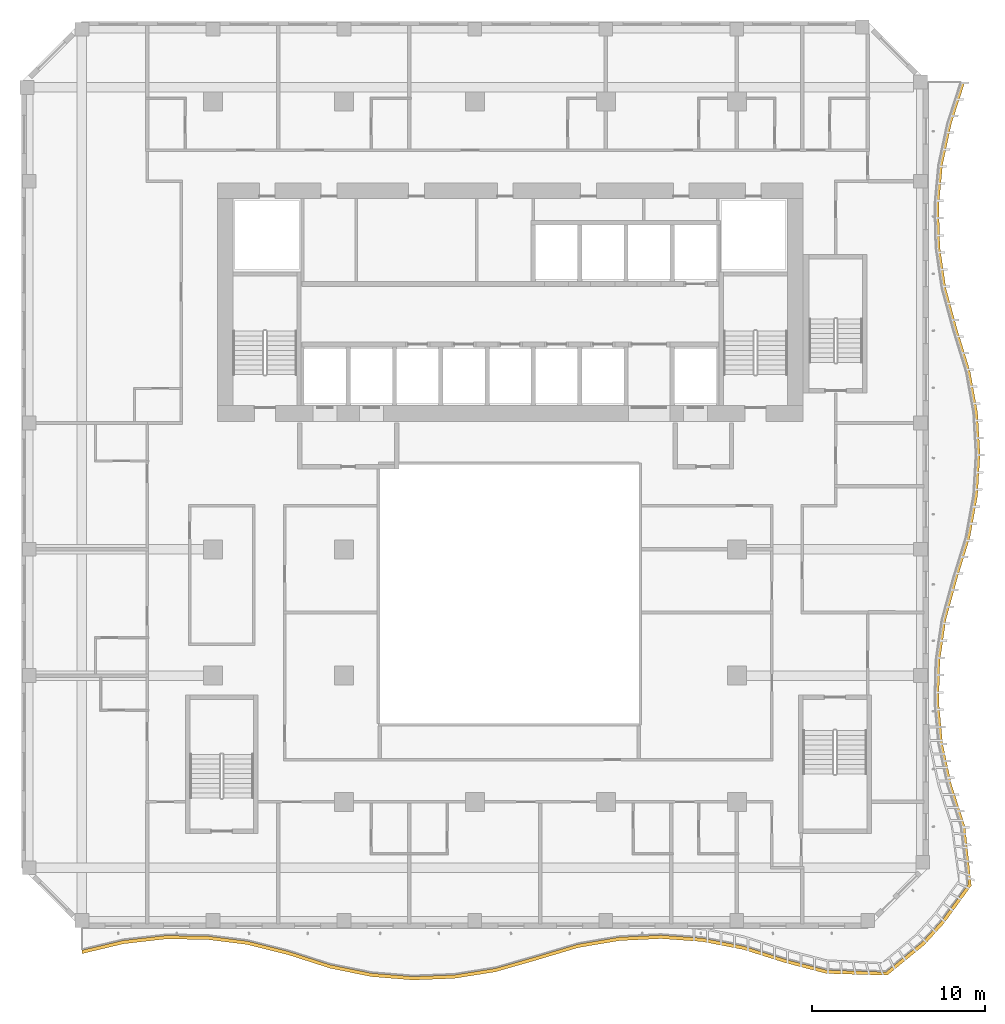
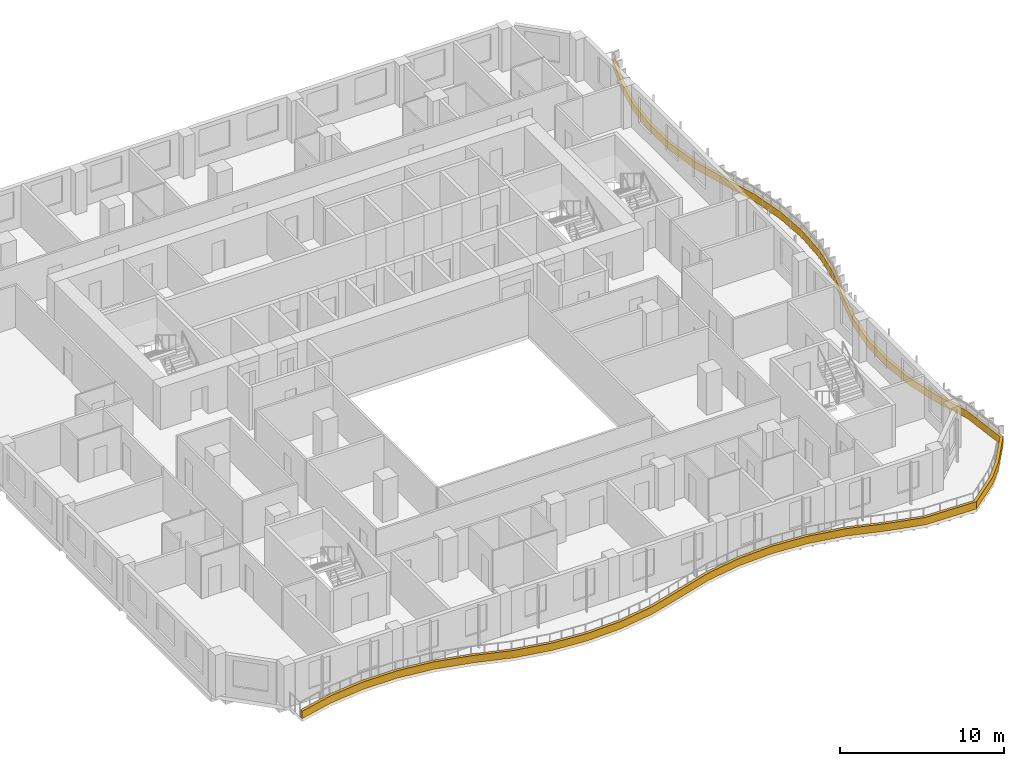
# One storey, part 15 of 22: 1 shading device.
"""IFC4 building model written with IfcOpenShell, lengths in metres."""

from ifc_helpers import new_model, si_unit, direction, frame, origin, place, context, subcontext, project, spatial, polyline, outline, extrude, source, transform, mapped, material, layer, layer_set, type_object, element, save


model = new_model("IFC4")

# Units and contexts
model_context = context("Model", 3, precision=1e-05, world=origin(), true_north=direction((0.0, 1.0)))
body_context = subcontext(model_context, "Body", "Model", "MODEL_VIEW")
ifc_project = project(units=[si_unit("LENGTHUNIT", "METRE"), si_unit("AREAUNIT", "SQUARE_METRE"), si_unit("VOLUMEUNIT", "CUBIC_METRE"), si_unit("PLANEANGLEUNIT", "RADIAN"), si_unit("MASSUNIT", "GRAM", prefix="KILO")], contexts=[model_context])

# Site, building, storey
site_placement = place(None, origin())
site = spatial("IfcSite", under=ifc_project, at=site_placement, CompositionType="ELEMENT")
building_placement = place(site_placement, origin())
building = spatial("IfcBuilding", under=site, at=building_placement, Name="Kilnfold Tower and Market Hall", CompositionType="ELEMENT")
storey_placement = place(building_placement, frame((0.0, 0.0, 154.10009765625)))
storey = spatial("IfcBuildingStorey", under=building, at=storey_placement, Name="L35", CompositionType="ELEMENT", Elevation=154.10009765625)

# Shading device
ifc_material = material(Name="Precast concrete C50/60", Category="concrete")
ifc_layer = layer(ifc_material, 0.550048828125)
ifc_layer_set = layer_set([ifc_layer], Name="Precast concrete C50/60")
shading_device_type = type_object("IfcShadingDeviceType", Name="BALCONY UPSTAND 550", PredefinedType="USERDEFINED", material=ifc_layer_set)
shared_shape = source(origin(), body_context, "Body", "SweptSolid", [
    extrude(outline(polyline([(-23.75, -22.724365234375), (-21.355224609375, -22.15234375), (-18.96044921875, -21.879150390625), (-16.56591796875, -21.892578125), (-14.171142578125, -22.193115234375), (-11.7763671875, -22.794189453125), (-9.381591796875, -23.564697265625), (-6.98681640625, -24.052001953125), (-4.592041015625, -24.24560546875), (-2.197509765625, -24.153564453125), (0.197509765625, -23.77197265625), (2.592041015625, -23.08349609375), (4.98681640625, -22.370361328125), (7.381591796875, -21.9658203125), (9.7763671875, -21.851318359375), (12.171142578125, -22.0224609375), (14.56591796875, -22.486572265625), (16.96044921875, -23.245849609375), (19.355224609375, -23.871337890625), (22.876708984375, -23.97021484375), (25.03759765625, -22.2041015625), (26.1474609375, -20.98095703125), (27.746337890625, -18.783935546875), (27.383544921875, -15.355224609375), (26.60400390625, -12.96044921875), (26.084716796875, -10.56591796875), (25.861328125, -8.171142578125), (25.923583984375, -5.7763671875), (26.2744140625, -3.381591796875), (26.929443359375, -0.98681640625), (27.669921875, 1.407958984375), (28.105712890625, 3.802490234375), (28.25, 6.197509765625), (28.10888671875, 8.592041015625), (27.67626953125, 10.98681640625), (26.938232421875, 13.381591796875), (26.279541015625, 15.7763671875), (25.92578125, 18.171142578125), (25.8603515625, 20.56591796875), (26.080810546875, 22.96044921875), (26.5966796875, 25.355224609375), (27.37548828125, 27.75), (27.175537109375, 27.75), (26.396728515625, 25.355224609375), (25.880859375, 22.96044921875), (25.660400390625, 20.56591796875), (25.7255859375, 18.171142578125), (26.07958984375, 15.7763671875), (26.73828125, 13.381591796875), (27.476318359375, 10.98681640625), (27.908935546875, 8.592041015625), (28.050048828125, 6.197509765625), (27.90576171875, 3.802490234375), (27.469970703125, 1.407958984375), (26.7294921875, -0.98681640625), (26.07421875, -3.381591796875), (25.723388671875, -5.7763671875), (25.661376953125, -8.171142578125), (25.884765625, -10.56591796875), (26.404052734375, -12.96044921875), (27.18359375, -15.355224609375), (27.5615234375, -18.70751953125), (26.006103515625, -20.839599609375), (24.896240234375, -22.062744140625), (22.80029296875, -23.785400390625), (19.355224609375, -23.67138671875), (16.96044921875, -23.0458984375), (14.56591796875, -22.28662109375), (12.171142578125, -21.822509765625), (9.7763671875, -21.6513671875), (7.381591796875, -21.765625), (4.98681640625, -22.17041015625), (2.592041015625, -22.88330078125), (0.197509765625, -23.572021484375), (-2.197509765625, -23.95361328125), (-4.592041015625, -24.04541015625), (-6.98681640625, -23.85205078125), (-9.381591796875, -23.36474609375), (-11.7763671875, -22.59423828125), (-14.171142578125, -21.9931640625), (-16.56591796875, -21.692626953125), (-18.96044921875, -21.67919921875), (-21.355224609375, -21.952392578125), (-23.75, -22.5244140625), (-23.75, -22.724365234375)])), origin(), (0.0, 0.0, 1.0), 0.5498046875),
])
shading_device_placement = place(storey_placement, origin())
element("IfcShadingDevice", 1, at=shading_device_placement, inside=storey, type_object=shading_device_type, Name="Balcony fascia L35", ObjectType="FASCIA", PredefinedType="USERDEFINED", context=body_context, shape_type="MappedRepresentation", body=[
    mapped(shared_shape, transform((0.0, 0.0, 0.0))),
])

save(model, "model.ifc")
